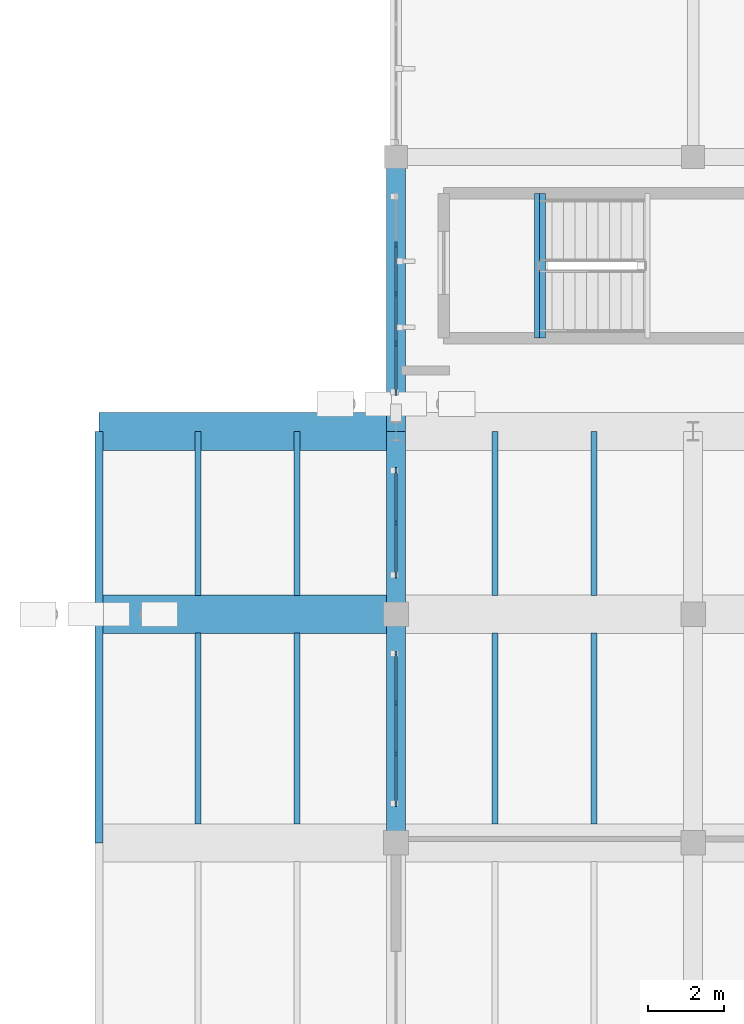
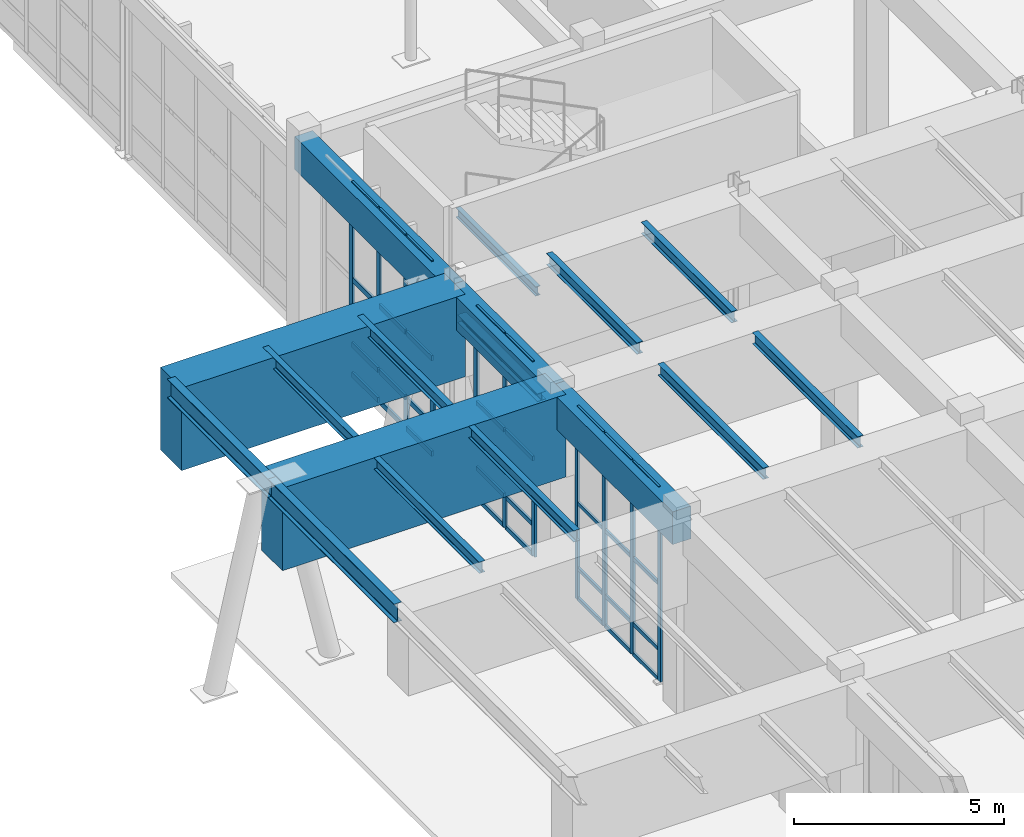
# One storey, part 40 of 110: 43 members, 17 beams, 3 elements without a shape of their own.
"""IFC4 building model written with IfcOpenShell, lengths in metres."""

from ifc_helpers import new_model, si_unit, direction, frame, origin, origin_2d, place, context, subcontext, project, spatial, rectangle, i_section, extrude, material, material_profile, profile_set, type_object, element, aggregate, save


model = new_model("IFC4")

# Units and contexts
model_context = context("Model", 3, precision=1e-05, world=origin(), true_north=direction((0.0, 1.0)))
body_context = subcontext(model_context, "Body", "Model", "MODEL_VIEW")
ifc_project = project(units=[si_unit("LENGTHUNIT", "METRE"), si_unit("AREAUNIT", "SQUARE_METRE"), si_unit("VOLUMEUNIT", "CUBIC_METRE"), si_unit("PLANEANGLEUNIT", "RADIAN"), si_unit("MASSUNIT", "GRAM", prefix="KILO")], contexts=[model_context])

# Site, building, storey
site_placement = place(None, origin())
site = spatial("IfcSite", under=ifc_project, at=site_placement, CompositionType="ELEMENT")
building_placement = place(site_placement, origin())
building = spatial("IfcBuilding", under=site, at=building_placement, Name="Tizgana Railside Sports Hall", CompositionType="ELEMENT")
storey_placement = place(building_placement, origin())
storey = spatial("IfcBuildingStorey", under=building, at=storey_placement, Name="L00", CompositionType="ELEMENT", Elevation=0.0)

# Beams
ifc_material_1 = material(Name="Concrete C40/50", Category="concrete")
ifc_material_profile_1 = material_profile(ifc_material_1, rectangle(XDim=0.5, YDim=0.949951171875, at=origin_2d()), Name="RCB 500x950")
ifc_profile_set_1 = profile_set([ifc_material_profile_1], Name="Concrete C40/50")
beam_type_1 = type_object("IfcBeamType", Name="Concrete Beam RCB 500x950", PredefinedType="BEAM", material=ifc_profile_set_1)
beam_1_placement = place(storey_placement, frame((7.800048828125, 62.39990234375, 5.180908203125), z_axis=(0.0, 1.0, 0.0), x_axis=(-1.0, 0.0, 0.0)))
element("IfcBeam", 1, at=beam_1_placement, inside=storey, type_object=beam_type_1, Name="L00 BEM-0141", PredefinedType="BEAM", context=body_context, shape_type="SweptSolid", body=[
    extrude(rectangle(XDim=0.5, YDim=0.949951171875, at=origin_2d()), origin(), (0.0, 0.0, 1.0), 6.0),
])
beam_2_placement = place(storey_placement, frame((7.800048828125, 68.39990234375, 5.180908203125), z_axis=(0.0, 1.0, 0.0), x_axis=(-1.0, 0.0, 0.0)))
element("IfcBeam", 2, at=beam_2_placement, inside=storey, type_object=beam_type_1, Name="L00 BEM-0142", PredefinedType="BEAM", context=body_context, shape_type="SweptSolid", body=[
    extrude(rectangle(XDim=0.5, YDim=0.949951171875, at=origin_2d()), origin(), (0.0, 0.0, 1.0), 4.800048828125),
])
beam_3_placement = place(storey_placement, frame((7.800048828125, 73.199951171875, 5.180908203125), z_axis=(0.0, 1.0, 0.0), x_axis=(-1.0, 0.0, 0.0)))
element("IfcBeam", 3, at=beam_3_placement, inside=storey, type_object=beam_type_1, Name="L00 BEM-0143", PredefinedType="BEAM", context=body_context, shape_type="SweptSolid", body=[
    extrude(rectangle(XDim=0.5, YDim=0.949951171875, at=origin_2d()), origin(), (0.0, 0.0, 1.0), 7.199951171875),
])

# Curtain wall, members
ifc_material_2 = material(Name="Anodised aluminium and glass", Category="aluminium")
curtain_wall_type_1 = type_object("IfcCurtainWallType", Name="Unitised Curtain Wall WestHall 1560", PredefinedType="NOTDEFINED", material=ifc_material_2)
curtain_wall_1_placement = place(storey_placement, origin())
curtain_wall_1 = element("IfcCurtainWall", 4, at=curtain_wall_1_placement, inside=storey, type_object=curtain_wall_type_1, Name="L00 Curtain Wall CW-0006", PredefinedType="NOTDEFINED")
ifc_material_3 = material(Name="Anodised aluminium", Category="aluminium")
ifc_material_profile_2 = material_profile(ifc_material_3, rectangle(XDim=0.06005859375, YDim=0.139892578125, at=origin_2d()), Name="Mullion 60x140")
ifc_profile_set_2 = profile_set([ifc_material_profile_2], Name="Anodised aluminium")
member_type_1 = type_object("IfcMemberType", Name="Mullion 60x140", PredefinedType="MULLION", material=ifc_profile_set_2)
member_1_placement = place(storey_placement, frame((7.800048828125, 67.3701171875, 0.044921875), z_axis=(0.0, 0.0, 1.0), x_axis=(1.0, 0.0, 0.0)))
member_1 = element("IfcMember", 5, at=member_1_placement, type_object=member_type_1, Name="CW-07 mullion 1", PredefinedType="MULLION", context=body_context, shape_type="SweptSolid", body=[
    extrude(rectangle(XDim=0.06005859375, YDim=0.139892578125, at=origin_2d()), origin(), (0.0, 0.0, 1.0), 5.60498046875),
])
member_2_placement = place(storey_placement, frame((7.800048828125, 66.066650390625, 0.044921875), z_axis=(0.0, 0.0, 1.0), x_axis=(1.0, 0.0, 0.0)))
member_2 = element("IfcMember", 6, at=member_2_placement, type_object=member_type_1, Name="CW-07 mullion 2", PredefinedType="MULLION", context=body_context, shape_type="SweptSolid", body=[
    extrude(rectangle(XDim=0.06005859375, YDim=0.139892578125, at=origin_2d()), origin(), (0.0, 0.0, 1.0), 5.60498046875),
])
member_3_placement = place(storey_placement, frame((7.800048828125, 64.7333984375, 0.044921875), z_axis=(0.0, 0.0, 1.0), x_axis=(1.0, 0.0, 0.0)))
member_3 = element("IfcMember", 7, at=member_3_placement, type_object=member_type_1, Name="CW-07 mullion 3", PredefinedType="MULLION", context=body_context, shape_type="SweptSolid", body=[
    extrude(rectangle(XDim=0.06005859375, YDim=0.139892578125, at=origin_2d()), origin(), (0.0, 0.0, 1.0), 5.60498046875),
])
member_4_placement = place(storey_placement, frame((7.800048828125, 63.429931640625, 0.044921875), z_axis=(0.0, 0.0, 1.0), x_axis=(1.0, 0.0, 0.0)))
member_4 = element("IfcMember", 8, at=member_4_placement, type_object=member_type_1, Name="CW-07 mullion 4", PredefinedType="MULLION", context=body_context, shape_type="SweptSolid", body=[
    extrude(rectangle(XDim=0.06005859375, YDim=0.139892578125, at=origin_2d()), origin(), (0.0, 0.0, 1.0), 5.60498046875),
])

curtain_wall_type_2 = type_object("IfcCurtainWallType", Name="Unitised Curtain Wall EastHall 1500", PredefinedType="NOTDEFINED", material=ifc_material_2)
curtain_wall_2_placement = place(storey_placement, origin())
curtain_wall_2 = element("IfcCurtainWall", 9, at=curtain_wall_2_placement, inside=storey, type_object=curtain_wall_type_2, Name="L00 Curtain Wall CW-0007", PredefinedType="NOTDEFINED")
ifc_material_profile_3 = material_profile(ifc_material_3, rectangle(XDim=0.06005859375, YDim=0.159912109375, at=origin_2d()), Name="Mullion 60x160")
ifc_profile_set_3 = profile_set([ifc_material_profile_3], Name="Anodised aluminium")
member_type_2 = type_object("IfcMemberType", Name="Mullion 60x160", PredefinedType="MULLION", material=ifc_profile_set_3)
member_5_placement = place(storey_placement, frame((7.800048828125, 72.169921875, 0.044921875), z_axis=(0.0, 0.0, 1.0), x_axis=(1.0, 0.0, 0.0)))
member_5 = element("IfcMember", 10, at=member_5_placement, type_object=member_type_2, Name="CW-08 mullion 1", PredefinedType="MULLION", context=body_context, shape_type="SweptSolid", body=[
    extrude(rectangle(XDim=0.06005859375, YDim=0.159912109375, at=origin_2d()), origin(), (0.0, 0.0, 1.0), 5.60498046875),
])
member_6_placement = place(storey_placement, frame((7.800048828125, 70.800048828125, 0.044921875), z_axis=(0.0, 0.0, 1.0), x_axis=(1.0, 0.0, 0.0)))
member_6 = element("IfcMember", 11, at=member_6_placement, type_object=member_type_2, Name="CW-08 mullion 2", PredefinedType="MULLION", context=body_context, shape_type="SweptSolid", body=[
    extrude(rectangle(XDim=0.06005859375, YDim=0.159912109375, at=origin_2d()), origin(), (0.0, 0.0, 1.0), 5.60498046875),
])
member_7_placement = place(storey_placement, frame((7.800048828125, 69.429931640625, 0.044921875), z_axis=(0.0, 0.0, 1.0), x_axis=(1.0, 0.0, 0.0)))
member_7 = element("IfcMember", 12, at=member_7_placement, type_object=member_type_2, Name="CW-08 mullion 3", PredefinedType="MULLION", context=body_context, shape_type="SweptSolid", body=[
    extrude(rectangle(XDim=0.06005859375, YDim=0.159912109375, at=origin_2d()), origin(), (0.0, 0.0, 1.0), 5.60498046875),
])

curtain_wall_type_3 = type_object("IfcCurtainWallType", Name="Unitised Curtain Wall Concourse 1500", PredefinedType="NOTDEFINED", material=ifc_material_2)
curtain_wall_3_placement = place(storey_placement, origin())
curtain_wall_3 = element("IfcCurtainWall", 13, at=curtain_wall_3_placement, inside=storey, type_object=curtain_wall_type_3, Name="L00 Curtain Wall CW-0008", PredefinedType="NOTDEFINED")
ifc_material_profile_4 = material_profile(ifc_material_3, rectangle(XDim=0.06005859375, YDim=0.179931640625, at=origin_2d()), Name="Mullion 60x180")
ifc_profile_set_4 = profile_set([ifc_material_profile_4], Name="Anodised aluminium")
member_type_3 = type_object("IfcMemberType", Name="Mullion 60x180", PredefinedType="MULLION", material=ifc_profile_set_4)
member_8_placement = place(storey_placement, frame((7.800048828125, 78.10009765625, 0.044921875), z_axis=(0.0, 0.0, 1.0), x_axis=(1.0, 0.0, 0.0)))
member_8 = element("IfcMember", 14, at=member_8_placement, type_object=member_type_3, Name="CW-01 mullion 2", PredefinedType="MULLION", context=body_context, shape_type="SweptSolid", body=[
    extrude(rectangle(XDim=0.06005859375, YDim=0.179931640625, at=origin_2d()), origin(), (0.0, 0.0, 1.0), 5.60498046875),
])
member_9_placement = place(storey_placement, frame((7.800048828125, 76.800048828125, 0.044921875), z_axis=(0.0, 0.0, 1.0), x_axis=(1.0, 0.0, 0.0)))
member_9 = element("IfcMember", 15, at=member_9_placement, type_object=member_type_3, Name="CW-01 mullion 3", PredefinedType="MULLION", context=body_context, shape_type="SweptSolid", body=[
    extrude(rectangle(XDim=0.06005859375, YDim=0.179931640625, at=origin_2d()), origin(), (0.0, 0.0, 1.0), 5.60498046875),
])
member_10_placement = place(storey_placement, frame((7.800048828125, 75.5, 0.044921875), z_axis=(0.0, 0.0, 1.0), x_axis=(1.0, 0.0, 0.0)))
member_10 = element("IfcMember", 16, at=member_10_placement, type_object=member_type_3, Name="CW-01 mullion 4", PredefinedType="MULLION", context=body_context, shape_type="SweptSolid", body=[
    extrude(rectangle(XDim=0.06005859375, YDim=0.179931640625, at=origin_2d()), origin(), (0.0, 0.0, 1.0), 5.60498046875),
])
member_11_placement = place(storey_placement, frame((7.800048828125, 74.22998046875, 0.044921875), z_axis=(0.0, 0.0, 1.0), x_axis=(1.0, 0.0, 0.0)))
member_11 = element("IfcMember", 17, at=member_11_placement, type_object=member_type_3, Name="CW-01 mullion 5", PredefinedType="MULLION", context=body_context, shape_type="SweptSolid", body=[
    extrude(rectangle(XDim=0.06005859375, YDim=0.179931640625, at=origin_2d()), origin(), (0.0, 0.0, 1.0), 5.60498046875),
])

# Beams
ifc_material_profile_5 = material_profile(ifc_material_1, rectangle(XDim=1.0, YDim=2.39990234375, at=origin_2d()), Name="PTG 1000x2400")
ifc_profile_set_5 = profile_set([ifc_material_profile_5], Name="Concrete C40/50")
beam_type_2 = type_object("IfcBeamType", Name="Post-Tensioned Girder PTG 1000x2400", PredefinedType="BEAM", material=ifc_profile_set_5)
for number, where, z_axis, x_axis, name in (
    (18, (0.0, 68.39990234375, 4.4560546875), (1.0, 0.0, 0.0), (0.0, 1.0, 0.0), "L00 PTG-0009"),
    (19, (0.0, 73.199951171875, 4.4560546875), (1.0, 0.0, 0.0), (0.0, 1.0, 0.0), "L00 PTG-0011"),
):
    element("IfcBeam", number, at=place(storey_placement, frame(where, z_axis=z_axis, x_axis=x_axis)), inside=storey, type_object=beam_type_2, Name=name, PredefinedType="BEAM", context=body_context, shape_type="SweptSolid", body=[
        extrude(rectangle(XDim=1.0, YDim=2.39990234375, at=origin_2d()), origin(), (0.0, 0.0, 1.0), 7.800048828125),
    ])
ifc_material_4 = material(Name="Steel S355J2", Category="steel")
ifc_material_profile_6 = material_profile(ifc_material_4, i_section(OverallWidth=0.1298828125, OverallDepth=0.27001953125, WebThickness=0.006591796875, FlangeThickness=0.01025390625, FilletRadius=0.014892578125, at=origin_2d()), Name="IPE 270")
ifc_profile_set_6 = profile_set([ifc_material_profile_6], Name="Steel S355J2")
beam_type_3 = type_object("IfcBeamType", Name="Stair Mid-Landing Header IPE 270", PredefinedType="JOIST", material=ifc_profile_set_6)
beam_4_placement = place(storey_placement, frame((11.5, 75.64990234375, 2.6630859375), z_axis=(0.0, 1.0, 0.0), x_axis=(-1.0, 0.0, 0.0)))
element("IfcBeam", 20, at=beam_4_placement, inside=storey, type_object=beam_type_3, Name="L00 C7 Mid Header 2", PredefinedType="JOIST", context=body_context, shape_type="SweptSolid", body=[
    extrude(i_section(OverallWidth=0.1298828125, OverallDepth=0.27001953125, WebThickness=0.006591796875, FlangeThickness=0.01025390625, FilletRadius=0.014892578125, at=origin_2d()), origin(), (0.0, 0.0, 1.0), 3.800048828125),
])
ifc_material_profile_7 = material_profile(ifc_material_4, i_section(OverallWidth=0.239990234375, OverallDepth=0.239990234375, WebThickness=0.010009765625, FlangeThickness=0.01708984375, FilletRadius=0.02099609375, at=origin_2d()), Name="HEB 240")
ifc_profile_set_7 = profile_set([ifc_material_profile_7], Name="Steel S355J2")
beam_type_4 = type_object("IfcBeamType", Name="Steel Beam HEB 240", PredefinedType="BEAM", material=ifc_profile_set_7)
beam_5_placement = place(storey_placement, frame((11.60009765625, 75.64990234375, -0.44189453125), z_axis=(0.0, 1.0, 0.0), x_axis=(-1.0, 0.0, 0.0)))
element("IfcBeam", 21, at=beam_5_placement, inside=storey, type_object=beam_type_4, Name="L00 C7 Landing Header", PredefinedType="BEAM", context=body_context, shape_type="SweptSolid", body=[
    extrude(i_section(OverallWidth=0.239990234375, OverallDepth=0.239990234375, WebThickness=0.010009765625, FlangeThickness=0.01708984375, FilletRadius=0.02099609375, at=origin_2d()), origin(), (0.0, 0.0, 1.0), 3.800048828125),
])
ifc_material_profile_8 = material_profile(ifc_material_4, i_section(OverallWidth=0.2099609375, OverallDepth=0.550048828125, WebThickness=0.010986328125, FlangeThickness=0.01708984375, FilletRadius=0.02392578125, at=origin_2d()), Name="IPE 550")
ifc_profile_set_8 = profile_set([ifc_material_profile_8], Name="Steel S355J2")
beam_type_5 = type_object("IfcBeamType", Name="Steel Beam IPE 550", PredefinedType="BEAM", material=ifc_profile_set_8)
beam_6_placement = place(storey_placement, frame((0.0, 62.39990234375, 5.381103515625), z_axis=(0.0, 1.0, 0.0), x_axis=(-1.0, 0.0, 0.0)))
element("IfcBeam", 22, at=beam_6_placement, inside=storey, type_object=beam_type_5, Name="L00 BEM-0136", PredefinedType="BEAM", context=body_context, shape_type="SweptSolid", body=[
    extrude(i_section(OverallWidth=0.2099609375, OverallDepth=0.550048828125, WebThickness=0.010986328125, FlangeThickness=0.01708984375, FilletRadius=0.02392578125, at=origin_2d()), origin(), (0.0, 0.0, 1.0), 6.0),
])
beam_7_placement = place(storey_placement, frame((0.0, 68.39990234375, 5.381103515625), z_axis=(0.0, 1.0, 0.0), x_axis=(-1.0, 0.0, 0.0)))
element("IfcBeam", 23, at=beam_7_placement, inside=storey, type_object=beam_type_5, Name="L00 BEM-0137", PredefinedType="BEAM", context=body_context, shape_type="SweptSolid", body=[
    extrude(i_section(OverallWidth=0.2099609375, OverallDepth=0.550048828125, WebThickness=0.010986328125, FlangeThickness=0.01708984375, FilletRadius=0.02392578125, at=origin_2d()), origin(), (0.0, 0.0, 1.0), 4.800048828125),
])
ifc_material_profile_9 = material_profile(ifc_material_4, i_section(OverallWidth=0.159912109375, OverallDepth=0.330078125, WebThickness=0.007568359375, FlangeThickness=0.011474609375, FilletRadius=0.01806640625, at=origin_2d()), Name="IPE 330")
ifc_profile_set_9 = profile_set([ifc_material_profile_9], Name="Steel S355J2")
beam_type_6 = type_object("IfcBeamType", Name="Steel Joist IPE 330", PredefinedType="JOIST", material=ifc_profile_set_9)
beam_8_placement = place(storey_placement, frame((2.60009765625, 62.89501953125, 5.490966796875), z_axis=(0.0, 1.0, 0.0), x_axis=(-1.0, 0.0, 0.0)))
element("IfcBeam", 24, at=beam_8_placement, inside=storey, type_object=beam_type_6, Name="L00 BEM-0181", PredefinedType="JOIST", context=body_context, shape_type="SweptSolid", body=[
    extrude(i_section(OverallWidth=0.159912109375, OverallDepth=0.330078125, WebThickness=0.007568359375, FlangeThickness=0.011474609375, FilletRadius=0.01806640625, at=origin_2d()), origin(), (0.0, 0.0, 1.0), 5.010009765625),
])
beam_9_placement = place(storey_placement, frame((2.60009765625, 68.89501953125, 5.490966796875), z_axis=(0.0, 1.0, 0.0), x_axis=(-1.0, 0.0, 0.0)))
element("IfcBeam", 25, at=beam_9_placement, inside=storey, type_object=beam_type_6, Name="L00 BEM-0182", PredefinedType="JOIST", context=body_context, shape_type="SweptSolid", body=[
    extrude(i_section(OverallWidth=0.159912109375, OverallDepth=0.330078125, WebThickness=0.007568359375, FlangeThickness=0.011474609375, FilletRadius=0.01806640625, at=origin_2d()), origin(), (0.0, 0.0, 1.0), 4.304931640625),
])
beam_10_placement = place(storey_placement, frame((5.199951171875, 62.89501953125, 5.490966796875), z_axis=(0.0, 1.0, 0.0), x_axis=(-1.0, 0.0, 0.0)))
element("IfcBeam", 26, at=beam_10_placement, inside=storey, type_object=beam_type_6, Name="L00 BEM-0186", PredefinedType="JOIST", context=body_context, shape_type="SweptSolid", body=[
    extrude(i_section(OverallWidth=0.159912109375, OverallDepth=0.330078125, WebThickness=0.007568359375, FlangeThickness=0.011474609375, FilletRadius=0.01806640625, at=origin_2d()), origin(), (0.0, 0.0, 1.0), 5.010009765625),
])
beam_11_placement = place(storey_placement, frame((5.199951171875, 68.89501953125, 5.490966796875), z_axis=(0.0, 1.0, 0.0), x_axis=(-1.0, 0.0, 0.0)))
element("IfcBeam", 27, at=beam_11_placement, inside=storey, type_object=beam_type_6, Name="L00 BEM-0187", PredefinedType="JOIST", context=body_context, shape_type="SweptSolid", body=[
    extrude(i_section(OverallWidth=0.159912109375, OverallDepth=0.330078125, WebThickness=0.007568359375, FlangeThickness=0.011474609375, FilletRadius=0.01806640625, at=origin_2d()), origin(), (0.0, 0.0, 1.0), 4.304931640625),
])
beam_12_placement = place(storey_placement, frame((10.39990234375, 62.89501953125, 5.490966796875), z_axis=(0.0, 1.0, 0.0), x_axis=(-1.0, 0.0, 0.0)))
element("IfcBeam", 28, at=beam_12_placement, inside=storey, type_object=beam_type_6, Name="L00 BEM-0191", PredefinedType="JOIST", context=body_context, shape_type="SweptSolid", body=[
    extrude(i_section(OverallWidth=0.159912109375, OverallDepth=0.330078125, WebThickness=0.007568359375, FlangeThickness=0.011474609375, FilletRadius=0.01806640625, at=origin_2d()), origin(), (0.0, 0.0, 1.0), 5.010009765625),
])
beam_13_placement = place(storey_placement, frame((10.39990234375, 68.89501953125, 5.490966796875), z_axis=(0.0, 1.0, 0.0), x_axis=(-1.0, 0.0, 0.0)))
element("IfcBeam", 29, at=beam_13_placement, inside=storey, type_object=beam_type_6, Name="L00 BEM-0192", PredefinedType="JOIST", context=body_context, shape_type="SweptSolid", body=[
    extrude(i_section(OverallWidth=0.159912109375, OverallDepth=0.330078125, WebThickness=0.007568359375, FlangeThickness=0.011474609375, FilletRadius=0.01806640625, at=origin_2d()), origin(), (0.0, 0.0, 1.0), 4.304931640625),
])
beam_14_placement = place(storey_placement, frame((13.0, 62.89501953125, 5.490966796875), z_axis=(0.0, 1.0, 0.0), x_axis=(-1.0, 0.0, 0.0)))
element("IfcBeam", 30, at=beam_14_placement, inside=storey, type_object=beam_type_6, Name="L00 BEM-0196", PredefinedType="JOIST", context=body_context, shape_type="SweptSolid", body=[
    extrude(i_section(OverallWidth=0.159912109375, OverallDepth=0.330078125, WebThickness=0.007568359375, FlangeThickness=0.011474609375, FilletRadius=0.01806640625, at=origin_2d()), origin(), (0.0, 0.0, 1.0), 5.010009765625),
])
beam_15_placement = place(storey_placement, frame((13.0, 68.89501953125, 5.490966796875), z_axis=(0.0, 1.0, 0.0), x_axis=(-1.0, 0.0, 0.0)))
element("IfcBeam", 31, at=beam_15_placement, inside=storey, type_object=beam_type_6, Name="L00 BEM-0197", PredefinedType="JOIST", context=body_context, shape_type="SweptSolid", body=[
    extrude(i_section(OverallWidth=0.159912109375, OverallDepth=0.330078125, WebThickness=0.007568359375, FlangeThickness=0.011474609375, FilletRadius=0.01806640625, at=origin_2d()), origin(), (0.0, 0.0, 1.0), 4.304931640625),
])

# Member
ifc_material_profile_10 = material_profile(ifc_material_3, rectangle(XDim=0.06005859375, YDim=0.110107421875, at=origin_2d()), Name="Transom 60x110")
ifc_profile_set_10 = profile_set([ifc_material_profile_10], Name="Anodised aluminium")
member_type_4 = type_object("IfcMemberType", Name="Transom 60x110", PredefinedType="USERDEFINED", material=ifc_profile_set_10)
member_12_placement = place(storey_placement, frame((7.800048828125, 67.340087890625, 0.074951171875), z_axis=(0.0, -1.0, 0.0), x_axis=(1.0, 0.0, 0.0)))
member_12 = element("IfcMember", 32, at=member_12_placement, type_object=member_type_4, Name="CW-07 transom 1.1", ObjectType="TRANSOM", PredefinedType="USERDEFINED", context=body_context, shape_type="SweptSolid", body=[
    extrude(rectangle(XDim=0.06005859375, YDim=0.110107421875, at=origin_2d()), origin(), (0.0, 0.0, 1.0), 1.243408203125),
])

member_13_placement = place(storey_placement, frame((7.800048828125, 67.340087890625, 0.945068359375), z_axis=(0.0, -1.0, 0.0), x_axis=(1.0, 0.0, 0.0)))
member_13 = element("IfcMember", 33, at=member_13_placement, type_object=member_type_4, Name="CW-07 transom 1.2", ObjectType="TRANSOM", PredefinedType="USERDEFINED", context=body_context, shape_type="SweptSolid", body=[
    extrude(rectangle(XDim=0.06005859375, YDim=0.110107421875, at=origin_2d()), origin(), (0.0, 0.0, 1.0), 1.243408203125),
])

member_14_placement = place(storey_placement, frame((7.800048828125, 67.340087890625, 2.847412109375), z_axis=(0.0, -1.0, 0.0), x_axis=(1.0, 0.0, 0.0)))
member_14 = element("IfcMember", 34, at=member_14_placement, type_object=member_type_4, Name="CW-07 transom 1.3", ObjectType="TRANSOM", PredefinedType="USERDEFINED", context=body_context, shape_type="SweptSolid", body=[
    extrude(rectangle(XDim=0.06005859375, YDim=0.110107421875, at=origin_2d()), origin(), (0.0, 0.0, 1.0), 1.243408203125),
])

member_15_placement = place(storey_placement, frame((7.800048828125, 67.340087890625, 5.6201171875), z_axis=(0.0, -1.0, 0.0), x_axis=(1.0, 0.0, 0.0)))
member_15 = element("IfcMember", 35, at=member_15_placement, type_object=member_type_4, Name="CW-07 transom 1.4", ObjectType="TRANSOM", PredefinedType="USERDEFINED", context=body_context, shape_type="SweptSolid", body=[
    extrude(rectangle(XDim=0.06005859375, YDim=0.110107421875, at=origin_2d()), origin(), (0.0, 0.0, 1.0), 1.243408203125),
])

member_16_placement = place(storey_placement, frame((7.800048828125, 66.03662109375, 0.074951171875), z_axis=(0.0, -1.0, 0.0), x_axis=(1.0, 0.0, 0.0)))
member_16 = element("IfcMember", 36, at=member_16_placement, type_object=member_type_4, Name="CW-07 transom 2.1", ObjectType="TRANSOM", PredefinedType="USERDEFINED", context=body_context, shape_type="SweptSolid", body=[
    extrude(rectangle(XDim=0.06005859375, YDim=0.110107421875, at=origin_2d()), origin(), (0.0, 0.0, 1.0), 1.273193359375),
])

member_17_placement = place(storey_placement, frame((7.800048828125, 66.03662109375, 0.945068359375), z_axis=(0.0, -1.0, 0.0), x_axis=(1.0, 0.0, 0.0)))
member_17 = element("IfcMember", 37, at=member_17_placement, type_object=member_type_4, Name="CW-07 transom 2.2", ObjectType="TRANSOM", PredefinedType="USERDEFINED", context=body_context, shape_type="SweptSolid", body=[
    extrude(rectangle(XDim=0.06005859375, YDim=0.110107421875, at=origin_2d()), origin(), (0.0, 0.0, 1.0), 1.273193359375),
])

member_18_placement = place(storey_placement, frame((7.800048828125, 66.03662109375, 2.847412109375), z_axis=(0.0, -1.0, 0.0), x_axis=(1.0, 0.0, 0.0)))
member_18 = element("IfcMember", 38, at=member_18_placement, type_object=member_type_4, Name="CW-07 transom 2.3", ObjectType="TRANSOM", PredefinedType="USERDEFINED", context=body_context, shape_type="SweptSolid", body=[
    extrude(rectangle(XDim=0.06005859375, YDim=0.110107421875, at=origin_2d()), origin(), (0.0, 0.0, 1.0), 1.273193359375),
])

member_19_placement = place(storey_placement, frame((7.800048828125, 66.03662109375, 5.6201171875), z_axis=(0.0, -1.0, 0.0), x_axis=(1.0, 0.0, 0.0)))
member_19 = element("IfcMember", 39, at=member_19_placement, type_object=member_type_4, Name="CW-07 transom 2.4", ObjectType="TRANSOM", PredefinedType="USERDEFINED", context=body_context, shape_type="SweptSolid", body=[
    extrude(rectangle(XDim=0.06005859375, YDim=0.110107421875, at=origin_2d()), origin(), (0.0, 0.0, 1.0), 1.273193359375),
])

member_20_placement = place(storey_placement, frame((7.800048828125, 64.703369140625, 0.074951171875), z_axis=(0.0, -1.0, 0.0), x_axis=(1.0, 0.0, 0.0)))
member_20 = element("IfcMember", 40, at=member_20_placement, type_object=member_type_4, Name="CW-07 transom 3.1", ObjectType="TRANSOM", PredefinedType="USERDEFINED", context=body_context, shape_type="SweptSolid", body=[
    extrude(rectangle(XDim=0.06005859375, YDim=0.110107421875, at=origin_2d()), origin(), (0.0, 0.0, 1.0), 1.243408203125),
])

member_21_placement = place(storey_placement, frame((7.800048828125, 64.703369140625, 0.945068359375), z_axis=(0.0, -1.0, 0.0), x_axis=(1.0, 0.0, 0.0)))
member_21 = element("IfcMember", 41, at=member_21_placement, type_object=member_type_4, Name="CW-07 transom 3.2", ObjectType="TRANSOM", PredefinedType="USERDEFINED", context=body_context, shape_type="SweptSolid", body=[
    extrude(rectangle(XDim=0.06005859375, YDim=0.110107421875, at=origin_2d()), origin(), (0.0, 0.0, 1.0), 1.243408203125),
])

member_22_placement = place(storey_placement, frame((7.800048828125, 64.703369140625, 2.847412109375), z_axis=(0.0, -1.0, 0.0), x_axis=(1.0, 0.0, 0.0)))
member_22 = element("IfcMember", 42, at=member_22_placement, type_object=member_type_4, Name="CW-07 transom 3.3", ObjectType="TRANSOM", PredefinedType="USERDEFINED", context=body_context, shape_type="SweptSolid", body=[
    extrude(rectangle(XDim=0.06005859375, YDim=0.110107421875, at=origin_2d()), origin(), (0.0, 0.0, 1.0), 1.243408203125),
])

member_23_placement = place(storey_placement, frame((7.800048828125, 64.703369140625, 5.6201171875), z_axis=(0.0, -1.0, 0.0), x_axis=(1.0, 0.0, 0.0)))
member_23 = element("IfcMember", 43, at=member_23_placement, type_object=member_type_4, Name="CW-07 transom 3.4", ObjectType="TRANSOM", PredefinedType="USERDEFINED", context=body_context, shape_type="SweptSolid", body=[
    extrude(rectangle(XDim=0.06005859375, YDim=0.110107421875, at=origin_2d()), origin(), (0.0, 0.0, 1.0), 1.243408203125),
])

aggregate(curtain_wall_1, [member_1, member_2, member_3, member_4, member_12, member_13, member_14, member_15, member_16, member_17, member_18, member_19, member_20, member_21, member_22, member_23])

ifc_material_profile_11 = material_profile(ifc_material_3, rectangle(XDim=0.06005859375, YDim=0.1298828125, at=origin_2d()), Name="Transom 60x130")
ifc_profile_set_11 = profile_set([ifc_material_profile_11], Name="Anodised aluminium")
member_type_5 = type_object("IfcMemberType", Name="Transom 60x130", PredefinedType="USERDEFINED", material=ifc_profile_set_11)
member_24_placement = place(storey_placement, frame((7.800048828125, 72.139892578125, 0.074951171875), z_axis=(0.0, -1.0, 0.0), x_axis=(1.0, 0.0, 0.0)))
member_24 = element("IfcMember", 44, at=member_24_placement, type_object=member_type_5, Name="CW-08 transom 1.1", ObjectType="TRANSOM", PredefinedType="USERDEFINED", context=body_context, shape_type="SweptSolid", body=[
    extrude(rectangle(XDim=0.06005859375, YDim=0.1298828125, at=origin_2d()), origin(), (0.0, 0.0, 1.0), 1.309814453125),
])

member_25_placement = place(storey_placement, frame((7.800048828125, 72.139892578125, 0.945068359375), z_axis=(0.0, -1.0, 0.0), x_axis=(1.0, 0.0, 0.0)))
member_25 = element("IfcMember", 45, at=member_25_placement, type_object=member_type_5, Name="CW-08 transom 1.2", ObjectType="TRANSOM", PredefinedType="USERDEFINED", context=body_context, shape_type="SweptSolid", body=[
    extrude(rectangle(XDim=0.06005859375, YDim=0.1298828125, at=origin_2d()), origin(), (0.0, 0.0, 1.0), 1.309814453125),
])

member_26_placement = place(storey_placement, frame((7.800048828125, 72.139892578125, 2.847412109375), z_axis=(0.0, -1.0, 0.0), x_axis=(1.0, 0.0, 0.0)))
member_26 = element("IfcMember", 46, at=member_26_placement, type_object=member_type_5, Name="CW-08 transom 1.3", ObjectType="TRANSOM", PredefinedType="USERDEFINED", context=body_context, shape_type="SweptSolid", body=[
    extrude(rectangle(XDim=0.06005859375, YDim=0.1298828125, at=origin_2d()), origin(), (0.0, 0.0, 1.0), 1.309814453125),
])

member_27_placement = place(storey_placement, frame((7.800048828125, 72.139892578125, 5.6201171875), z_axis=(0.0, -1.0, 0.0), x_axis=(1.0, 0.0, 0.0)))
member_27 = element("IfcMember", 47, at=member_27_placement, type_object=member_type_5, Name="CW-08 transom 1.4", ObjectType="TRANSOM", PredefinedType="USERDEFINED", context=body_context, shape_type="SweptSolid", body=[
    extrude(rectangle(XDim=0.06005859375, YDim=0.1298828125, at=origin_2d()), origin(), (0.0, 0.0, 1.0), 1.309814453125),
])

member_28_placement = place(storey_placement, frame((7.800048828125, 70.77001953125, 0.074951171875), z_axis=(0.0, -1.0, 0.0), x_axis=(1.0, 0.0, 0.0)))
member_28 = element("IfcMember", 48, at=member_28_placement, type_object=member_type_5, Name="CW-08 transom 2.1", ObjectType="TRANSOM", PredefinedType="USERDEFINED", context=body_context, shape_type="SweptSolid", body=[
    extrude(rectangle(XDim=0.06005859375, YDim=0.1298828125, at=origin_2d()), origin(), (0.0, 0.0, 1.0), 1.31005859375),
])

member_29_placement = place(storey_placement, frame((7.800048828125, 70.77001953125, 0.945068359375), z_axis=(0.0, -1.0, 0.0), x_axis=(1.0, 0.0, 0.0)))
member_29 = element("IfcMember", 49, at=member_29_placement, type_object=member_type_5, Name="CW-08 transom 2.2", ObjectType="TRANSOM", PredefinedType="USERDEFINED", context=body_context, shape_type="SweptSolid", body=[
    extrude(rectangle(XDim=0.06005859375, YDim=0.1298828125, at=origin_2d()), origin(), (0.0, 0.0, 1.0), 1.31005859375),
])

member_30_placement = place(storey_placement, frame((7.800048828125, 70.77001953125, 2.847412109375), z_axis=(0.0, -1.0, 0.0), x_axis=(1.0, 0.0, 0.0)))
member_30 = element("IfcMember", 50, at=member_30_placement, type_object=member_type_5, Name="CW-08 transom 2.3", ObjectType="TRANSOM", PredefinedType="USERDEFINED", context=body_context, shape_type="SweptSolid", body=[
    extrude(rectangle(XDim=0.06005859375, YDim=0.1298828125, at=origin_2d()), origin(), (0.0, 0.0, 1.0), 1.31005859375),
])

member_31_placement = place(storey_placement, frame((7.800048828125, 70.77001953125, 5.6201171875), z_axis=(0.0, -1.0, 0.0), x_axis=(1.0, 0.0, 0.0)))
member_31 = element("IfcMember", 51, at=member_31_placement, type_object=member_type_5, Name="CW-08 transom 2.4", ObjectType="TRANSOM", PredefinedType="USERDEFINED", context=body_context, shape_type="SweptSolid", body=[
    extrude(rectangle(XDim=0.06005859375, YDim=0.1298828125, at=origin_2d()), origin(), (0.0, 0.0, 1.0), 1.31005859375),
])

aggregate(curtain_wall_2, [member_5, member_6, member_7, member_24, member_25, member_26, member_27, member_28, member_29, member_30, member_31])

ifc_material_profile_12 = material_profile(ifc_material_3, rectangle(XDim=0.06005859375, YDim=0.14990234375, at=origin_2d()), Name="Transom 60x150")
ifc_profile_set_12 = profile_set([ifc_material_profile_12], Name="Anodised aluminium")
member_type_6 = type_object("IfcMemberType", Name="Transom 60x150", PredefinedType="USERDEFINED", material=ifc_profile_set_12)
member_32_placement = place(storey_placement, frame((7.800048828125, 78.070068359375, 0.074951171875), z_axis=(0.0, -1.0, 0.0), x_axis=(1.0, 0.0, 0.0)))
member_32 = element("IfcMember", 52, at=member_32_placement, type_object=member_type_6, Name="CW-01 transom 2.1", ObjectType="TRANSOM", PredefinedType="USERDEFINED", context=body_context, shape_type="SweptSolid", body=[
    extrude(rectangle(XDim=0.06005859375, YDim=0.14990234375, at=origin_2d()), origin(), (0.0, 0.0, 1.0), 1.239990234375),
])

member_33_placement = place(storey_placement, frame((7.800048828125, 78.070068359375, 0.945068359375), z_axis=(0.0, -1.0, 0.0), x_axis=(1.0, 0.0, 0.0)))
member_33 = element("IfcMember", 53, at=member_33_placement, type_object=member_type_6, Name="CW-01 transom 2.2", ObjectType="TRANSOM", PredefinedType="USERDEFINED", context=body_context, shape_type="SweptSolid", body=[
    extrude(rectangle(XDim=0.06005859375, YDim=0.14990234375, at=origin_2d()), origin(), (0.0, 0.0, 1.0), 1.239990234375),
])

member_34_placement = place(storey_placement, frame((7.800048828125, 78.070068359375, 2.847412109375), z_axis=(0.0, -1.0, 0.0), x_axis=(1.0, 0.0, 0.0)))
member_34 = element("IfcMember", 54, at=member_34_placement, type_object=member_type_6, Name="CW-01 transom 2.3", ObjectType="TRANSOM", PredefinedType="USERDEFINED", context=body_context, shape_type="SweptSolid", body=[
    extrude(rectangle(XDim=0.06005859375, YDim=0.14990234375, at=origin_2d()), origin(), (0.0, 0.0, 1.0), 1.239990234375),
])

member_35_placement = place(storey_placement, frame((7.800048828125, 78.070068359375, 5.6201171875), z_axis=(0.0, -1.0, 0.0), x_axis=(1.0, 0.0, 0.0)))
member_35 = element("IfcMember", 55, at=member_35_placement, type_object=member_type_6, Name="CW-01 transom 2.4", ObjectType="TRANSOM", PredefinedType="USERDEFINED", context=body_context, shape_type="SweptSolid", body=[
    extrude(rectangle(XDim=0.06005859375, YDim=0.14990234375, at=origin_2d()), origin(), (0.0, 0.0, 1.0), 1.239990234375),
])

member_36_placement = place(storey_placement, frame((7.800048828125, 76.77001953125, 0.074951171875), z_axis=(0.0, -1.0, 0.0), x_axis=(1.0, 0.0, 0.0)))
member_36 = element("IfcMember", 56, at=member_36_placement, type_object=member_type_6, Name="CW-01 transom 3.1", ObjectType="TRANSOM", PredefinedType="USERDEFINED", context=body_context, shape_type="SweptSolid", body=[
    extrude(rectangle(XDim=0.06005859375, YDim=0.14990234375, at=origin_2d()), origin(), (0.0, 0.0, 1.0), 1.239990234375),
])

member_37_placement = place(storey_placement, frame((7.800048828125, 76.77001953125, 0.945068359375), z_axis=(0.0, -1.0, 0.0), x_axis=(1.0, 0.0, 0.0)))
member_37 = element("IfcMember", 57, at=member_37_placement, type_object=member_type_6, Name="CW-01 transom 3.2", ObjectType="TRANSOM", PredefinedType="USERDEFINED", context=body_context, shape_type="SweptSolid", body=[
    extrude(rectangle(XDim=0.06005859375, YDim=0.14990234375, at=origin_2d()), origin(), (0.0, 0.0, 1.0), 1.239990234375),
])

member_38_placement = place(storey_placement, frame((7.800048828125, 76.77001953125, 2.847412109375), z_axis=(0.0, -1.0, 0.0), x_axis=(1.0, 0.0, 0.0)))
member_38 = element("IfcMember", 58, at=member_38_placement, type_object=member_type_6, Name="CW-01 transom 3.3", ObjectType="TRANSOM", PredefinedType="USERDEFINED", context=body_context, shape_type="SweptSolid", body=[
    extrude(rectangle(XDim=0.06005859375, YDim=0.14990234375, at=origin_2d()), origin(), (0.0, 0.0, 1.0), 1.239990234375),
])

member_39_placement = place(storey_placement, frame((7.800048828125, 76.77001953125, 5.6201171875), z_axis=(0.0, -1.0, 0.0), x_axis=(1.0, 0.0, 0.0)))
member_39 = element("IfcMember", 59, at=member_39_placement, type_object=member_type_6, Name="CW-01 transom 3.4", ObjectType="TRANSOM", PredefinedType="USERDEFINED", context=body_context, shape_type="SweptSolid", body=[
    extrude(rectangle(XDim=0.06005859375, YDim=0.14990234375, at=origin_2d()), origin(), (0.0, 0.0, 1.0), 1.239990234375),
])

member_40_placement = place(storey_placement, frame((7.800048828125, 75.469970703125, 0.074951171875), z_axis=(0.0, -1.0, 0.0), x_axis=(1.0, 0.0, 0.0)))
member_40 = element("IfcMember", 60, at=member_40_placement, type_object=member_type_6, Name="CW-01 transom 4.1", ObjectType="TRANSOM", PredefinedType="USERDEFINED", context=body_context, shape_type="SweptSolid", body=[
    extrude(rectangle(XDim=0.06005859375, YDim=0.14990234375, at=origin_2d()), origin(), (0.0, 0.0, 1.0), 1.2099609375),
])

member_41_placement = place(storey_placement, frame((7.800048828125, 75.469970703125, 0.945068359375), z_axis=(0.0, -1.0, 0.0), x_axis=(1.0, 0.0, 0.0)))
member_41 = element("IfcMember", 61, at=member_41_placement, type_object=member_type_6, Name="CW-01 transom 4.2", ObjectType="TRANSOM", PredefinedType="USERDEFINED", context=body_context, shape_type="SweptSolid", body=[
    extrude(rectangle(XDim=0.06005859375, YDim=0.14990234375, at=origin_2d()), origin(), (0.0, 0.0, 1.0), 1.2099609375),
])

member_42_placement = place(storey_placement, frame((7.800048828125, 75.469970703125, 2.847412109375), z_axis=(0.0, -1.0, 0.0), x_axis=(1.0, 0.0, 0.0)))
member_42 = element("IfcMember", 62, at=member_42_placement, type_object=member_type_6, Name="CW-01 transom 4.3", ObjectType="TRANSOM", PredefinedType="USERDEFINED", context=body_context, shape_type="SweptSolid", body=[
    extrude(rectangle(XDim=0.06005859375, YDim=0.14990234375, at=origin_2d()), origin(), (0.0, 0.0, 1.0), 1.2099609375),
])

member_43_placement = place(storey_placement, frame((7.800048828125, 75.469970703125, 5.6201171875), z_axis=(0.0, -1.0, 0.0), x_axis=(1.0, 0.0, 0.0)))
member_43 = element("IfcMember", 63, at=member_43_placement, type_object=member_type_6, Name="CW-01 transom 4.4", ObjectType="TRANSOM", PredefinedType="USERDEFINED", context=body_context, shape_type="SweptSolid", body=[
    extrude(rectangle(XDim=0.06005859375, YDim=0.14990234375, at=origin_2d()), origin(), (0.0, 0.0, 1.0), 1.2099609375),
])

aggregate(curtain_wall_3, [member_8, member_9, member_10, member_11, member_32, member_33, member_34, member_35, member_36, member_37, member_38, member_39, member_40, member_41, member_42, member_43])

save(model, "model.ifc")
